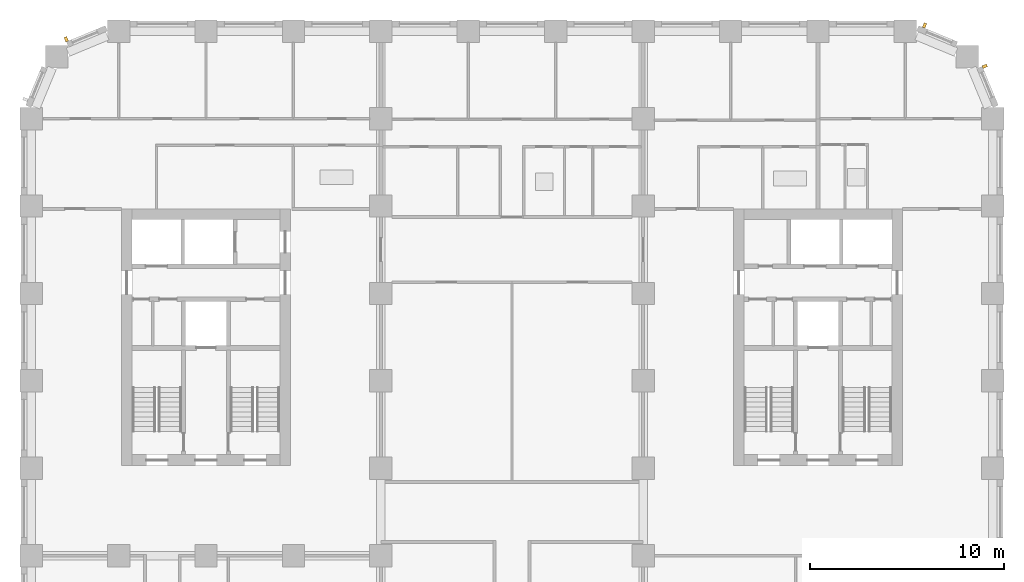
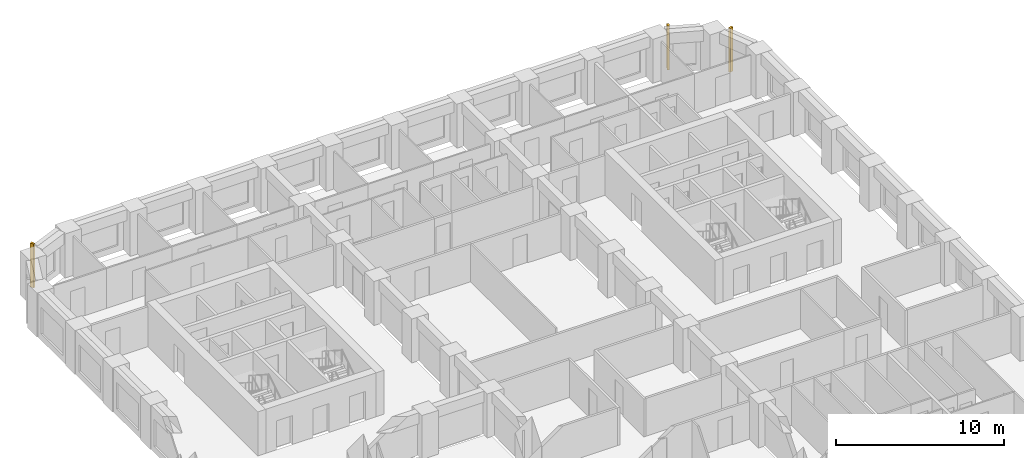
# One storey, part 12 of 13: 3 shading devices.
"""IFC4 building model written with IfcOpenShell, lengths in metres."""

from ifc_helpers import new_model, si_unit, direction, frame, origin, origin_2d, place, context, subcontext, project, spatial, rectangle, extrude, material, type_object, element, save


model = new_model("IFC4")

# Units and contexts
model_context = context("Model", 3, precision=1e-05, world=origin(), true_north=direction((0.0, 1.0)))
body_context = subcontext(model_context, "Body", "Model", "MODEL_VIEW")
ifc_project = project(units=[si_unit("LENGTHUNIT", "METRE"), si_unit("AREAUNIT", "SQUARE_METRE"), si_unit("VOLUMEUNIT", "CUBIC_METRE"), si_unit("PLANEANGLEUNIT", "RADIAN"), si_unit("MASSUNIT", "GRAM", prefix="KILO")], contexts=[model_context])

# Site, building, storey
site_placement = place(None, origin())
site = spatial("IfcSite", under=ifc_project, at=site_placement, CompositionType="ELEMENT")
building_placement = place(site_placement, origin())
building = spatial("IfcBuilding", under=site, at=building_placement, Name="Girih Gate Residences", CompositionType="ELEMENT")
storey_placement = place(building_placement, frame((0.0, 0.0, 83.199951171875)))
storey = spatial("IfcBuildingStorey", under=building, at=storey_placement, Name="L22", CompositionType="ELEMENT", Elevation=83.199951171875)

# Shading devices
ifc_material = material(Name="Precast concrete C50/60", Category="concrete")
shading_device_type = type_object("IfcShadingDeviceType", Name="Corner rib 150x250", PredefinedType="USERDEFINED", material=ifc_material)
for number, where, z_axis, x_axis, name in (
    (1, (49.087646484375, 47.6943359375, 0.0), (0.0, 0.0, 1.0), (-0.382683432365, 0.923879532511, 0.0), "Corner rib NE0495_0450.0"),
    (2, (45.985107421875, 49.79541015625, 0.0), (0.0, 0.0, 1.0), (-0.923879532511, 0.382683432365, 0.0), "Corner rib NE0482_0482.0"),
    (3, (1.8056640625, 49.087646484375, 0.0), (0.0, 0.0, 1.0), (-0.923879532511, -0.382683432365, 0.0), "Corner rib NW0045_0495.0"),
):
    element("IfcShadingDevice", number, at=place(storey_placement, frame(where, z_axis=z_axis, x_axis=x_axis)), inside=storey, type_object=shading_device_type, Name=name, ObjectType="FIN", PredefinedType="USERDEFINED", context=body_context, shape_type="SweptSolid", body=[
        extrude(rectangle(XDim=0.14990234375, YDim=0.25, at=origin_2d()), origin(), (0.0, 0.0, 1.0), 3.199951171875),
    ])

save(model, "model.ifc")
